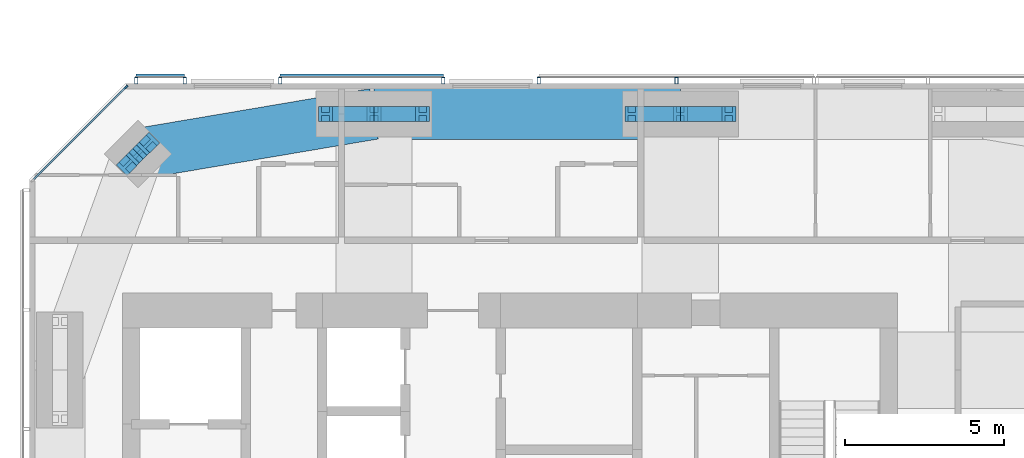
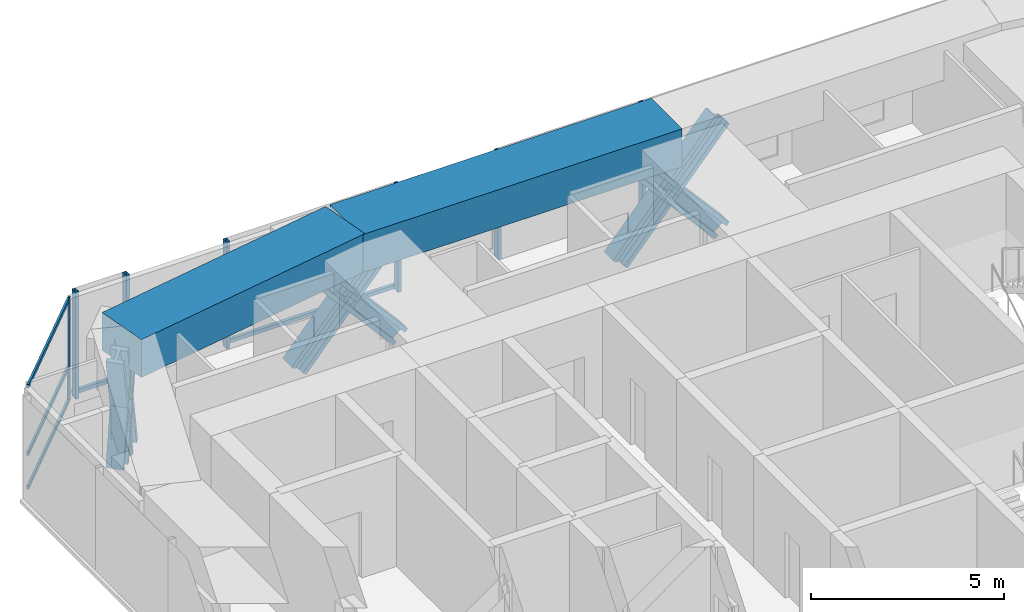
# One storey, part 9 of 18: 24 members, 2 beams, 4 elements without a shape of their own.
"""IFC4 building model written with IfcOpenShell, lengths in metres."""

from ifc_helpers import new_model, si_unit, direction, frame, origin, origin_2d, place, context, subcontext, project, spatial, rectangle, hollow_rectangle, i_section, extrude, material, material_profile, profile_set, type_object, element, aggregate, save


model = new_model("IFC4")

# Units and contexts
model_context = context("Model", 3, precision=1e-05, world=origin(), true_north=direction((0.0, 1.0)))
body_context = subcontext(model_context, "Body", "Model", "MODEL_VIEW")
ifc_project = project(units=[si_unit("LENGTHUNIT", "METRE"), si_unit("AREAUNIT", "SQUARE_METRE"), si_unit("VOLUMEUNIT", "CUBIC_METRE"), si_unit("PLANEANGLEUNIT", "RADIAN"), si_unit("MASSUNIT", "GRAM", prefix="KILO")], contexts=[model_context])

# Site, building, storey
site_placement = place(None, origin())
site = spatial("IfcSite", under=ifc_project, at=site_placement, CompositionType="ELEMENT")
building_placement = place(site_placement, origin())
building = spatial("IfcBuilding", under=site, at=building_placement, Name="Jalousie Tower", CompositionType="ELEMENT")
storey_placement = place(building_placement, frame((0.0, 0.0, 235.449951171875)))
storey = spatial("IfcBuildingStorey", under=building, at=storey_placement, Name="L64", CompositionType="ELEMENT", Elevation=235.449951171875)

# Curtain wall, members
ifc_material_1 = material(Name="Aluminium curtain wall", Category="aluminium")
curtain_wall_type_1 = type_object("IfcCurtainWallType", Name="CORNER WINDOW WALL", PredefinedType="USERDEFINED", material=ifc_material_1)
curtain_wall_1_placement = place(storey_placement, origin())
curtain_wall_1 = element("IfcCurtainWall", 1, at=curtain_wall_1_placement, inside=storey, type_object=curtain_wall_type_1, Name="Corner Window Wall L64 6", ObjectType="CORNER WINDOW WALL", PredefinedType="USERDEFINED")
ifc_material_2 = material(Name="Aluminium mullion", Category="aluminium")
ifc_material_profile_1 = material_profile(ifc_material_2, rectangle(XDim=0.06005859375, YDim=0.14990234375, at=origin_2d()), Name="MULLION 60x150")
ifc_profile_set_1 = profile_set([ifc_material_profile_1], Name="Aluminium mullion")
member_type_1 = type_object("IfcMemberType", Name="CORNER WINDOW WALL MULLION", PredefinedType="MULLION", material=ifc_profile_set_1)
member_1_placement = place(storey_placement, frame((19.830078125, 33.891357421875, 0.0), z_axis=(0.0, 0.0, 1.0), x_axis=(0.707106781187, -0.707106781187, 0.0)))
member_1 = element("IfcMember", 2, at=member_1_placement, type_object=member_type_1, Name="CW-C mullion 1", PredefinedType="MULLION", context=body_context, shape_type="SweptSolid", body=[
    extrude(rectangle(XDim=0.06005859375, YDim=0.14990234375, at=origin_2d()), origin(), (0.0, 0.0, 1.0), 3.260009765625),
])
ifc_material_3 = material(Name="Aluminium transom", Category="aluminium")
ifc_material_profile_2 = material_profile(ifc_material_3, rectangle(XDim=0.06005859375, YDim=0.1201171875, at=origin_2d()), Name="TRANSOM 60x120")
ifc_profile_set_2 = profile_set([ifc_material_profile_2], Name="Aluminium transom")
member_type_2 = type_object("IfcMemberType", Name="CORNER WINDOW WALL TRANSOM", PredefinedType="USERDEFINED", material=ifc_profile_set_2)
member_2_placement = place(storey_placement, frame((19.808837890625, 33.8701171875, 0.030029296875), z_axis=(-0.707106781187, -0.707106781187, 0.0), x_axis=(0.707106781187, -0.707106781187, 0.0)))
member_2 = element("IfcMember", 3, at=member_2_placement, type_object=member_type_2, Name="CW-C transom 1.1", ObjectType="TRANSOM", PredefinedType="USERDEFINED", context=body_context, shape_type="SweptSolid", body=[
    extrude(rectangle(XDim=0.06005859375, YDim=0.1201171875, at=origin_2d()), origin(), (0.0, 0.0, 1.0), 4.0712890625),
])
member_3_placement = place(storey_placement, frame((19.808837890625, 33.8701171875, 1.10009765625), z_axis=(-0.707106781187, -0.707106781187, 0.0), x_axis=(0.707106781187, -0.707106781187, 0.0)))
member_3 = element("IfcMember", 4, at=member_3_placement, type_object=member_type_2, Name="CW-C transom 1.2", ObjectType="TRANSOM", PredefinedType="USERDEFINED", context=body_context, shape_type="SweptSolid", body=[
    extrude(rectangle(XDim=0.06005859375, YDim=0.1201171875, at=origin_2d()), origin(), (0.0, 0.0, 1.0), 4.0712890625),
])
member_4_placement = place(storey_placement, frame((19.808837890625, 33.8701171875, 3.22998046875), z_axis=(-0.707106781187, -0.707106781187, 0.0), x_axis=(0.707106781187, -0.707106781187, 0.0)))
member_4 = element("IfcMember", 5, at=member_4_placement, type_object=member_type_2, Name="CW-C transom 1.3", ObjectType="TRANSOM", PredefinedType="USERDEFINED", context=body_context, shape_type="SweptSolid", body=[
    extrude(rectangle(XDim=0.06005859375, YDim=0.1201171875, at=origin_2d()), origin(), (0.0, 0.0, 1.0), 4.0712890625),
])
aggregate(curtain_wall_1, [member_1, member_2, member_3, member_4])

# Members
ifc_material_4 = material(Name="Steel ASTM A992 Grade 50", Category="steel")
ifc_material_profile_3 = material_profile(ifc_material_4, i_section(OverallWidth=0.472412109375, OverallDepth=0.5791015625, WebThickness=0.094970703125, FlangeThickness=0.1298828125, at=origin_2d()), Name="W14X808")
ifc_profile_set_3 = profile_set([ifc_material_profile_3], Name="Steel ASTM A992 Grade 50")
member_type_3 = type_object("IfcMemberType", Name="PERIMETER BRACE W14X808", PredefinedType="BRACE", material=ifc_profile_set_3)
for number, where, z_axis, x_axis, name in (
    (6, (35.72509765625, 33.050048828125, -0.599853515625), (0.65695436777, 0.0, 0.753930340726), (0.0, 1.0, 0.0), "Perimeter brace 10 L64 part 1"),
    (7, (37.25, 33.050048828125, 1.150146484375), (0.65695436777, 0.0, 0.753930340726), (0.0, 1.0, 0.0), "Perimeter brace 10 L64 part 2"),
    (8, (38.77490234375, 33.050048828125, -0.599853515625), (-0.65695436777, 0.0, 0.753930340726), (0.0, -1.0, 0.0), "Perimeter brace 10 L64 part 3"),
    (9, (37.25, 33.050048828125, 1.150146484375), (-0.65695436777, 0.0, 0.753930340726), (0.0, -1.0, 0.0), "Perimeter brace 10 L64 part 4"),
    (10, (26.10009765625, 33.050048828125, -0.599853515625), (0.65695436777, 0.0, 0.753930340726), (0.0, 1.0, 0.0), "Perimeter brace 11 L64 part 1"),
    (11, (27.625, 33.050048828125, 1.150146484375), (0.65695436777, 0.0, 0.753930340726), (0.0, 1.0, 0.0), "Perimeter brace 11 L64 part 2"),
    (12, (29.14990234375, 33.050048828125, -0.599853515625), (-0.65695436777, 0.0, 0.753930340726), (0.0, -1.0, 0.0), "Perimeter brace 11 L64 part 3"),
    (13, (27.625, 33.050048828125, 1.150146484375), (-0.65695436777, 0.0, 0.753930340726), (0.0, -1.0, 0.0), "Perimeter brace 11 L64 part 4"),
):
    element("IfcMember", number, at=place(storey_placement, frame(where, z_axis=z_axis, x_axis=x_axis)), inside=storey, type_object=member_type_3, Name=name, PredefinedType="BRACE", context=body_context, shape_type="SweptSolid", body=[
        extrude(i_section(OverallWidth=0.472412109375, OverallDepth=0.5791015625, WebThickness=0.094970703125, FlangeThickness=0.1298828125, at=origin_2d()), origin(), (0.0, 0.0, 1.0), 2.3212890625),
    ])
for number, where, z_axis, x_axis, name in (
    (14, (20.525390625, 32.111083984375, -0.599853515625), (-0.17618653952, -0.176051427143, 0.968485517854), (0.706835495285, -0.707377963048, 0.0), "Perimeter brace 12 L64 part 1"),
    (15, (20.20703125, 31.79296875, 1.150146484375), (-0.176051427143, -0.17618653952, 0.968485517854), (0.707377963048, -0.706835495285, 0.0), "Perimeter brace 12 L64 part 2"),
    (16, (19.888916015625, 31.474609375, -0.599853515625), (0.176051427143, 0.17618653952, 0.968485517854), (-0.707377963048, 0.706835495285, 0.0), "Perimeter brace 12 L64 part 3"),
    (17, (20.20703125, 31.79296875, 1.150146484375), (0.17618653952, 0.176051427143, 0.968485517854), (-0.706835495285, 0.707377963048, 0.0), "Perimeter brace 12 L64 part 4"),
):
    element("IfcMember", number, at=place(storey_placement, frame(where, z_axis=z_axis, x_axis=x_axis)), inside=storey, type_object=member_type_3, Name=name, PredefinedType="BRACE", context=body_context, shape_type="SweptSolid", body=[
        extrude(i_section(OverallWidth=0.472412109375, OverallDepth=0.5791015625, WebThickness=0.094970703125, FlangeThickness=0.1298828125, at=origin_2d()), origin(), (0.0, 0.0, 1.0), 1.806884765625),
    ])

# Beams
ifc_material_5 = material(Name="Concrete f'c 40 MPa", Category="concrete")
ifc_material_profile_4 = material_profile(ifc_material_5, rectangle(XDim=1.60009765625, YDim=1.199951171875, at=origin_2d()), Name="RC 1600x1200")
ifc_profile_set_4 = profile_set([ifc_material_profile_4], Name="Concrete f'c 40 MPa")
beam_type = type_object("IfcBeamType", Name="RC BEAM 1600x1200", PredefinedType="BEAM", material=ifc_profile_set_4)
beam_1_placement = place(storey_placement, frame((37.25, 33.050048828125, 2.900146484375), z_axis=(-1.0, 0.0, 0.0), x_axis=(0.0, -1.0, 0.0)))
element("IfcBeam", 18, at=beam_1_placement, inside=storey, type_object=beam_type, Name="Edge band beam 10-11 under L65", PredefinedType="BEAM", context=body_context, shape_type="SweptSolid", body=[
    extrude(rectangle(XDim=1.60009765625, YDim=1.199951171875, at=origin_2d()), origin(), (0.0, 0.0, 1.0), 9.625),
])
beam_2_placement = place(storey_placement, frame((27.625, 33.050048828125, 2.900146484375), z_axis=(-0.985942997446, -0.167082033105, 0.0), x_axis=(0.167082033105, -0.985942997446, 0.0)))
element("IfcBeam", 19, at=beam_2_placement, inside=storey, type_object=beam_type, Name="Edge band beam 11-12 under L65", PredefinedType="BEAM", context=body_context, shape_type="SweptSolid", body=[
    extrude(rectangle(XDim=1.60009765625, YDim=1.199951171875, at=origin_2d()), origin(), (0.0, 0.0, 1.0), 7.523681640625),
])

# Curtain wall, members
ifc_material_6 = material(Name="Perforated aluminium sheet", Category="aluminium")
curtain_wall_type_2 = type_object("IfcCurtainWallType", Name="SOLAR SCREEN SS-2", PredefinedType="USERDEFINED", material=ifc_material_6)
curtain_wall_2_placement = place(storey_placement, origin())
curtain_wall_2 = element("IfcCurtainWall", 20, at=curtain_wall_2_placement, inside=storey, type_object=curtain_wall_type_2, Name="Solar screen L64", ObjectType="SOLAR SCREEN SS-2", PredefinedType="USERDEFINED")
ifc_material_7 = material(Name="Steel ASTM A500 Grade C", Category="steel")
ifc_material_profile_5 = material_profile(ifc_material_7, hollow_rectangle(XDim=0.1015625, YDim=0.203125, WallThickness=0.0078125, at=origin_2d()), Name="HSS8X4X5/16")
ifc_profile_set_5 = profile_set([ifc_material_profile_5], Name="Steel ASTM A500 Grade C")
member_type_4 = type_object("IfcMemberType", Name="SOLAR SCREEN SS-2 MULLION", PredefinedType="MULLION", material=ifc_profile_set_5)
member_5_placement = place(storey_placement, frame((37.125, 34.0966796875, -0.119873046875), z_axis=(0.0, 0.0, 1.0), x_axis=(-1.0, 0.0, 0.0)))
member_5 = element("IfcMember", 21, at=member_5_placement, type_object=member_type_4, Name="SS2 post 2", PredefinedType="MULLION", context=body_context, shape_type="SweptSolid", body=[
    extrude(hollow_rectangle(XDim=0.1015625, YDim=0.203125, WallThickness=0.0078125, at=origin_2d()), origin(), (0.0, 0.0, 1.0), 3.3798828125),
])
member_6_placement = place(storey_placement, frame((32.800048828125, 34.0966796875, -0.119873046875), z_axis=(0.0, 0.0, 1.0), x_axis=(-1.0, 0.0, 0.0)))
member_6 = element("IfcMember", 22, at=member_6_placement, type_object=member_type_4, Name="SS2 post 3", PredefinedType="MULLION", context=body_context, shape_type="SweptSolid", body=[
    extrude(hollow_rectangle(XDim=0.1015625, YDim=0.203125, WallThickness=0.0078125, at=origin_2d()), origin(), (0.0, 0.0, 1.0), 3.3798828125),
])
aggregate(curtain_wall_2, [member_5, member_6])

curtain_wall_3_placement = place(storey_placement, origin())
curtain_wall_3 = element("IfcCurtainWall", 23, at=curtain_wall_3_placement, inside=storey, type_object=curtain_wall_type_2, Name="Solar screen L64", ObjectType="SOLAR SCREEN SS-2", PredefinedType="USERDEFINED")
member_7_placement = place(storey_placement, frame((29.800048828125, 34.0966796875, -0.119873046875), z_axis=(0.0, 0.0, 1.0), x_axis=(-1.0, 0.0, 0.0)))
member_7 = element("IfcMember", 24, at=member_7_placement, type_object=member_type_4, Name="SS2 post 1", PredefinedType="MULLION", context=body_context, shape_type="SweptSolid", body=[
    extrude(hollow_rectangle(XDim=0.1015625, YDim=0.203125, WallThickness=0.0078125, at=origin_2d()), origin(), (0.0, 0.0, 1.0), 3.3798828125),
])
member_8_placement = place(storey_placement, frame((24.675537109375, 34.0966796875, -0.119873046875), z_axis=(0.0, 0.0, 1.0), x_axis=(-1.0, 0.0, 0.0)))
member_8 = element("IfcMember", 25, at=member_8_placement, type_object=member_type_4, Name="SS2 post 2", PredefinedType="MULLION", context=body_context, shape_type="SweptSolid", body=[
    extrude(hollow_rectangle(XDim=0.1015625, YDim=0.203125, WallThickness=0.0078125, at=origin_2d()), origin(), (0.0, 0.0, 1.0), 3.3798828125),
])

curtain_wall_4_placement = place(storey_placement, origin())
curtain_wall_4 = element("IfcCurtainWall", 26, at=curtain_wall_4_placement, inside=storey, type_object=curtain_wall_type_2, Name="Solar screen L64", ObjectType="SOLAR SCREEN SS-2", PredefinedType="USERDEFINED")
member_9_placement = place(storey_placement, frame((21.675537109375, 34.0966796875, -0.119873046875), z_axis=(0.0, 0.0, 1.0), x_axis=(-1.0, 0.0, 0.0)))
member_9 = element("IfcMember", 27, at=member_9_placement, type_object=member_type_4, Name="SS2 post 1", PredefinedType="MULLION", context=body_context, shape_type="SweptSolid", body=[
    extrude(hollow_rectangle(XDim=0.1015625, YDim=0.203125, WallThickness=0.0078125, at=origin_2d()), origin(), (0.0, 0.0, 1.0), 3.3798828125),
])
member_10_placement = place(storey_placement, frame((20.1513671875, 34.0966796875, -0.119873046875), z_axis=(0.0, 0.0, 1.0), x_axis=(-1.0, 0.0, 0.0)))
member_10 = element("IfcMember", 28, at=member_10_placement, type_object=member_type_4, Name="SS2 post 2", PredefinedType="MULLION", context=body_context, shape_type="SweptSolid", body=[
    extrude(hollow_rectangle(XDim=0.1015625, YDim=0.203125, WallThickness=0.0078125, at=origin_2d()), origin(), (0.0, 0.0, 1.0), 3.3798828125),
])

# Member
ifc_material_8 = material(Name="Extruded aluminium screen rail", Category="aluminium")
ifc_material_profile_6 = material_profile(ifc_material_8, rectangle(XDim=0.1015625, YDim=0.1201171875, at=origin_2d()), Name="RAIL 102x120")
ifc_profile_set_6 = profile_set([ifc_material_profile_6], Name="Extruded aluminium screen rail")
member_type_5 = type_object("IfcMemberType", Name="SOLAR SCREEN SS-2 TRANSOM", PredefinedType="USERDEFINED", material=ifc_profile_set_6)
member_11_placement = place(storey_placement, frame((29.800048828125, 34.2490234375, -0.06005859375), z_axis=(-1.0, 0.0, 0.0), x_axis=(0.0, -1.0, 0.0)))
member_11 = element("IfcMember", 29, at=member_11_placement, type_object=member_type_5, Name="SS2 rail", ObjectType="TRANSOM", PredefinedType="USERDEFINED", context=body_context, shape_type="SweptSolid", body=[
    extrude(rectangle(XDim=0.1015625, YDim=0.1201171875, at=origin_2d()), origin(), (0.0, 0.0, 1.0), 5.12451171875),
])

aggregate(curtain_wall_3, [member_7, member_8, member_11])

member_12_placement = place(storey_placement, frame((21.675537109375, 34.2490234375, -0.06005859375), z_axis=(-1.0, 0.0, 0.0), x_axis=(0.0, -1.0, 0.0)))
member_12 = element("IfcMember", 30, at=member_12_placement, type_object=member_type_5, Name="SS2 rail", ObjectType="TRANSOM", PredefinedType="USERDEFINED", context=body_context, shape_type="SweptSolid", body=[
    extrude(rectangle(XDim=0.1015625, YDim=0.1201171875, at=origin_2d()), origin(), (0.0, 0.0, 1.0), 1.524169921875),
])

aggregate(curtain_wall_4, [member_9, member_10, member_12])

save(model, "model.ifc")
